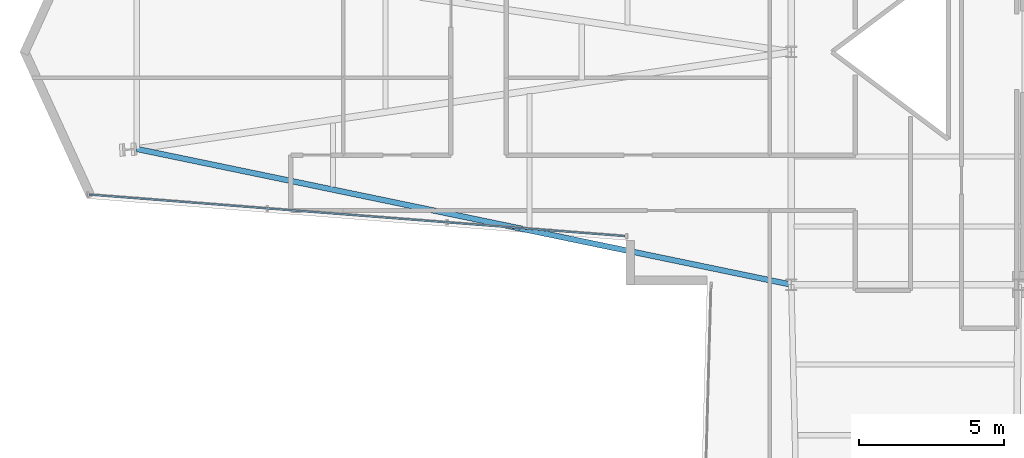
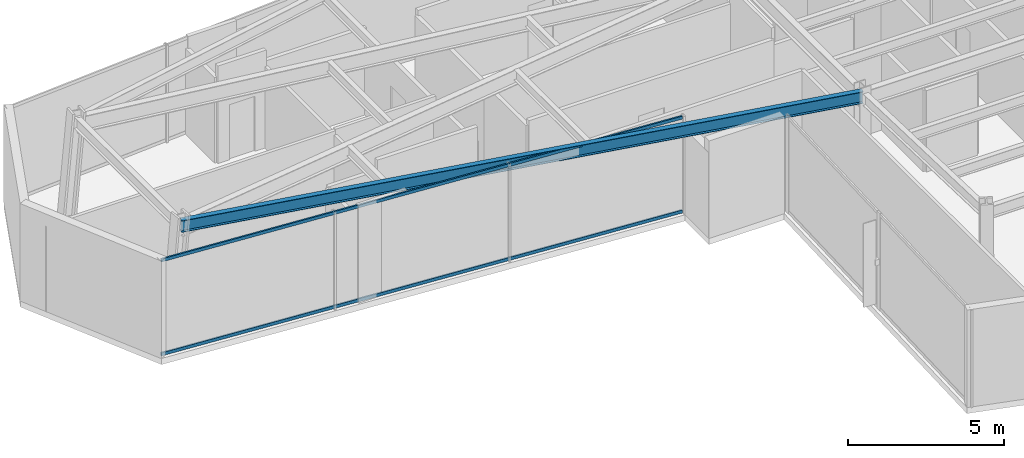
# One storey, part 3 of 29: 2 members, 1 beam, 1 element without a shape of its own.
"""IFC4 building model written with IfcOpenShell, lengths in metres."""

from ifc_helpers import new_model, si_unit, direction, frame, origin, origin_2d, place, context, subcontext, project, spatial, hollow_rectangle, i_section, extrude, material, layer, layer_set, material_profile, profile_set, type_object, element, aggregate, save


model = new_model("IFC4")

# Units and contexts
model_context = context("Model", 3, precision=1e-05, world=origin(), true_north=direction((0.0, 1.0)))
body_context = subcontext(model_context, "Body", "Model", "MODEL_VIEW")
ifc_project = project(units=[si_unit("LENGTHUNIT", "METRE"), si_unit("AREAUNIT", "SQUARE_METRE"), si_unit("VOLUMEUNIT", "CUBIC_METRE"), si_unit("PLANEANGLEUNIT", "RADIAN"), si_unit("MASSUNIT", "GRAM", prefix="KILO")], contexts=[model_context])

# Site, building, storey
site_placement = place(None, origin())
site = spatial("IfcSite", under=ifc_project, at=site_placement, CompositionType="ELEMENT")
building_placement = place(site_placement, origin())
building = spatial("IfcBuilding", under=site, at=building_placement, Name="Veymaron Broadcast Tower", CompositionType="ELEMENT")
storey_placement = place(building_placement, frame((0.0, 0.0, 58.050048828125)))
storey = spatial("IfcBuildingStorey", under=building, at=storey_placement, Name="L12", CompositionType="ELEMENT", Elevation=58.050048828125)

# Beam
ifc_material_1 = material(Name="Structural steel ASTM A992 Gr 50", Category="steel")
ifc_material_profile_1 = material_profile(ifc_material_1, i_section(OverallWidth=0.19091796875, OverallDepth=0.4599609375, WebThickness=0.010009765625, FlangeThickness=0.01611328125, at=origin_2d()), Name="W460X82")
ifc_profile_set_1 = profile_set([ifc_material_profile_1], Name="Structural steel ASTM A992 Gr 50")
beam_type = type_object("IfcBeamType", Name="BM-SP1", PredefinedType="SPANDREL", material=ifc_profile_set_1)
beam_placement = place(storey_placement, frame((8.697021484375, 20.6650390625, 3.579833984375), z_axis=(0.979180395187, -0.202992003984, 0.0), x_axis=(0.202992003984, 0.979180395187, 0.0)))
element("IfcBeam", 1, at=beam_placement, inside=storey, type_object=beam_type, Name="L12 primary structural floor girder", PredefinedType="SPANDREL", context=body_context, shape_type="SweptSolid", body=[
    extrude(i_section(OverallWidth=0.19091796875, OverallDepth=0.4599609375, WebThickness=0.010009765625, FlangeThickness=0.01611328125, at=origin_2d()), origin(), (0.0, 0.0, 1.0), 22.9814453125),
])

# Curtain wall, members
ifc_material_2 = material(Name="Anodised aluminium AA 6063-T6 and laminated low-E dark glass", Category="aluminium")
ifc_layer = layer(ifc_material_2, 0.179931640625)
ifc_layer_set = layer_set([ifc_layer], Name="Anodised aluminium AA 6063-T6 and laminated low-E dark glass")
curtain_wall_type = type_object("IfcCurtainWallType", Name="CW-SYS-02", PredefinedType="NOTDEFINED", material=ifc_layer_set)
curtain_wall_placement = place(storey_placement, origin())
curtain_wall = element("IfcCurtainWall", 2, at=curtain_wall_placement, inside=storey, type_object=curtain_wall_type, Name="L12 dark-glass curtain wall CW-L12-E14-1", PredefinedType="NOTDEFINED")
ifc_material_3 = material(Name="Anodised aluminium AA 6063-T6", Category="aluminium")
ifc_material_profile_2 = material_profile(ifc_material_3, hollow_rectangle(XDim=0.06005859375, YDim=0.1201171875, WallThickness=0.00390625, at=origin_2d()), Name="AL120X60X4")
ifc_profile_set_2 = profile_set([ifc_material_profile_2], Name="Anodised aluminium AA 6063-T6")
member_type = type_object("IfcMemberType", Name="CW-TRN-02", PredefinedType="USERDEFINED", material=ifc_profile_set_2)
member_1_placement = place(storey_placement, frame((7.060791015625, 19.095947265625, 0.070068359375), z_axis=(0.997009170572, -0.07728333453, 0.0), x_axis=(0.07728333453, 0.997009170572, 0.0)))
member_1 = element("IfcMember", 3, at=member_1_placement, type_object=member_type, Name="CW-L12-E14-1 transom B", ObjectType="TRANSOM", PredefinedType="USERDEFINED", context=body_context, shape_type="SweptSolid", body=[
    extrude(hollow_rectangle(XDim=0.06005859375, YDim=0.1201171875, WallThickness=0.00390625, at=origin_2d()), origin(), (0.0, 0.0, 1.0), 18.4833984375),
])
member_2_placement = place(storey_placement, frame((7.060791015625, 19.095947265625, 3.739990234375), z_axis=(0.997009170572, -0.07728333453, 0.0), x_axis=(0.07728333453, 0.997009170572, 0.0)))
member_2 = element("IfcMember", 4, at=member_2_placement, type_object=member_type, Name="CW-L12-E14-1 transom T", ObjectType="TRANSOM", PredefinedType="USERDEFINED", context=body_context, shape_type="SweptSolid", body=[
    extrude(hollow_rectangle(XDim=0.06005859375, YDim=0.1201171875, WallThickness=0.00390625, at=origin_2d()), origin(), (0.0, 0.0, 1.0), 18.4833984375),
])
aggregate(curtain_wall, [member_1, member_2])

save(model, "model.ifc")
